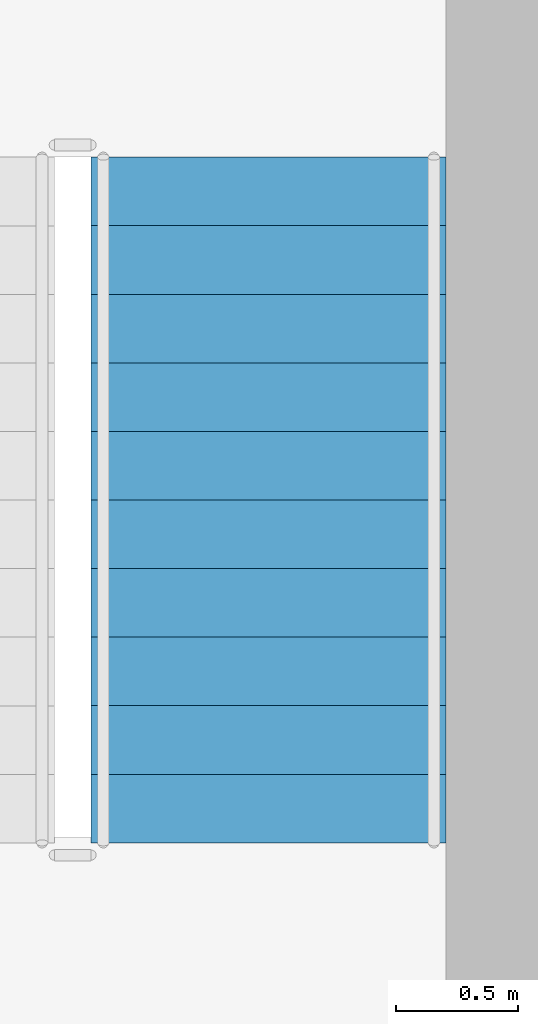
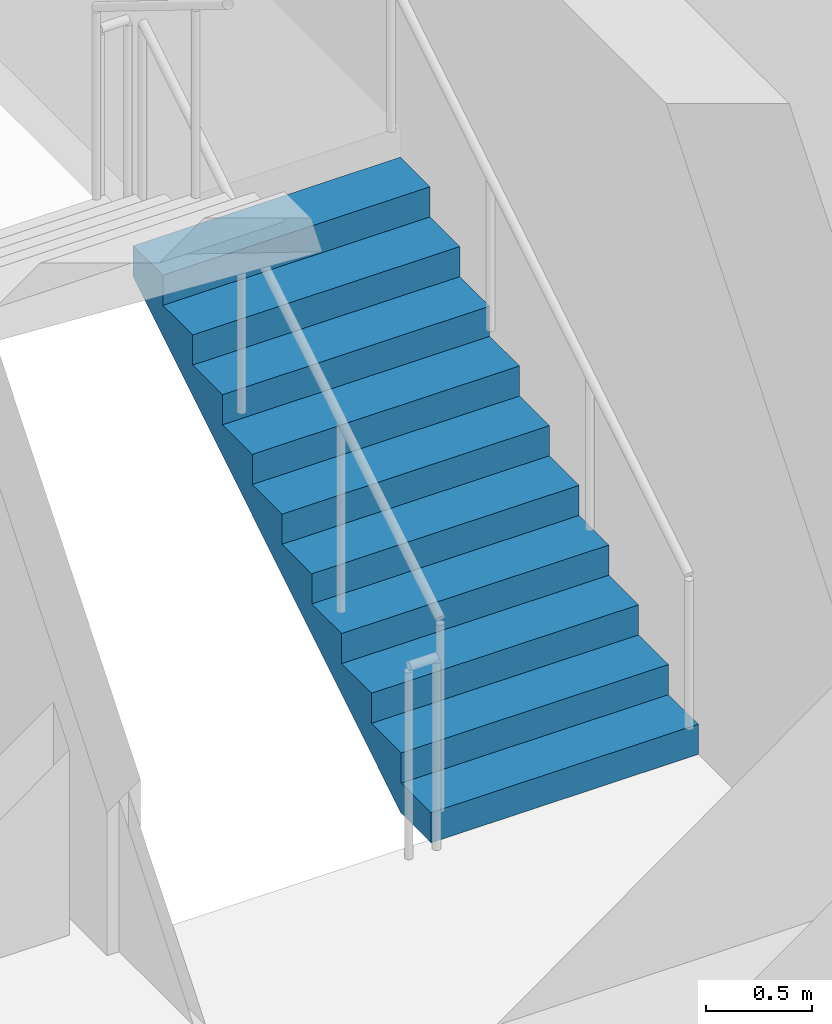
# One storey, part 34 of 37: 1 stair flight, 1 element without a shape of its own.
"""IFC4 building model written with IfcOpenShell, lengths in metres."""

from ifc_helpers import new_model, si_unit, direction, frame, origin, place, context, subcontext, project, spatial, polyline, outline, extrude, material, type_object, element, aggregate, save


model = new_model("IFC4")

# Units and contexts
model_context = context("Model", 3, precision=1e-05, world=origin(), true_north=direction((0.0, 1.0)))
body_context = subcontext(model_context, "Body", "Model", "MODEL_VIEW")
ifc_project = project(units=[si_unit("LENGTHUNIT", "METRE"), si_unit("AREAUNIT", "SQUARE_METRE"), si_unit("VOLUMEUNIT", "CUBIC_METRE"), si_unit("PLANEANGLEUNIT", "RADIAN"), si_unit("MASSUNIT", "GRAM", prefix="KILO")], contexts=[model_context])

# Site, building, storey
site_placement = place(None, origin())
site = spatial("IfcSite", under=ifc_project, at=site_placement, CompositionType="ELEMENT")
building_placement = place(site_placement, origin())
building = spatial("IfcBuilding", under=site, at=building_placement, Name="Saevonmaru Cultural Tower", CompositionType="ELEMENT")
storey_placement = place(building_placement, frame((0.0, 0.0, 160.0)))
storey = spatial("IfcBuildingStorey", under=building, at=storey_placement, Name="L35", CompositionType="ELEMENT", Elevation=160.0)

# Stair, stair flight
ifc_material_1 = material(Name="Concrete C40/50", Category="concrete")
stair_type = type_object("IfcStairType", Name="STR-DOGLEG-RC", PredefinedType="HALF_TURN_STAIR", material=ifc_material_1)
stair_placement = place(storey_placement, origin())
stair = element("IfcStair", 1, at=stair_placement, inside=storey, type_object=stair_type, Name="L35 Protected exit stair ST-2", PredefinedType="HALF_TURN_STAIR")
ifc_material_2 = material(Name="Precast concrete C40/50", Category="concrete")
stair_flight_type = type_object("IfcStairFlightType", Name="STF-PRECAST-180", PredefinedType="STRAIGHT", material=ifc_material_2)
stair_flight_placement = place(storey_placement, frame((45.074951171875, 44.85009765625, 0.0), z_axis=(0.0, 0.0, 1.0), x_axis=(0.0, 1.0, 0.0)))
stair_flight = element("IfcStairFlight", 2, at=stair_flight_placement, type_object=stair_flight_type, Name="ST-2-L35 flight 1", NumberOfRisers=11, NumberOfTreads=10, PredefinedType="STRAIGHT", RiserHeight=0.172727273, TreadLength=0.28, context=body_context, shape_type="SweptSolid", body=[
    extrude(outline(polyline([(0.0, 0.0), (0.0, 0.172607421875), (0.280029296875, 0.172607421875), (0.280029296875, 0.345458984375), (0.56005859375, 0.345458984375), (0.56005859375, 0.51806640625), (0.840087890625, 0.51806640625), (0.840087890625, 0.69091796875), (1.1201171875, 0.69091796875), (1.1201171875, 0.863525390625), (1.39990234375, 0.863525390625), (1.39990234375, 1.036376953125), (1.679931640625, 1.036376953125), (1.679931640625, 1.208984375), (1.9599609375, 1.208984375), (1.9599609375, 1.3818359375), (2.239990234375, 1.3818359375), (2.239990234375, 1.554443359375), (2.52001953125, 1.554443359375), (2.52001953125, 1.727294921875), (2.800048828125, 1.727294921875), (2.800048828125, 1.89990234375), (2.800048828125, 1.551025390625), (0.285400390625, 0.0), (0.0, 0.0)])), frame((0.0, 0.72509765625, 0.0), z_axis=(0.0, -1.0, 0.0), x_axis=(1.0, 0.0, 0.0)), (0.0, 0.0, 1.0), 1.449951171875),
])
aggregate(stair, [stair_flight])

save(model, "model.ifc")
